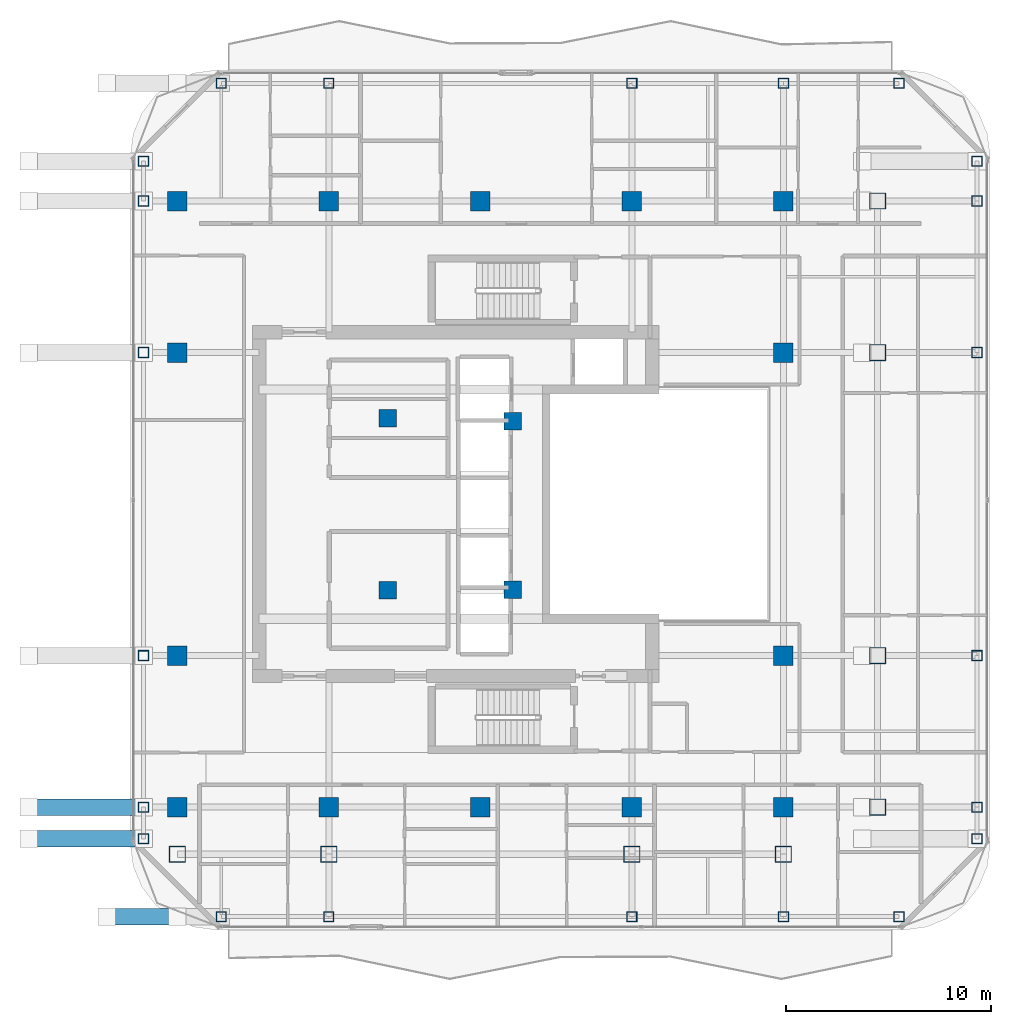
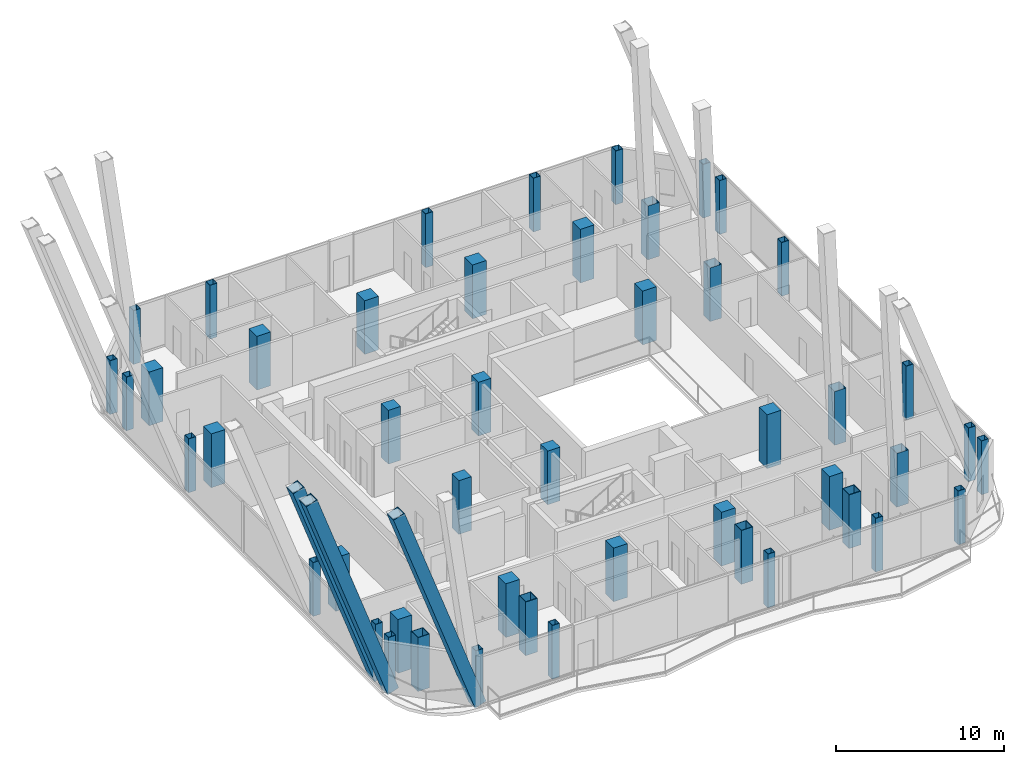
# One storey, part 1 of 27: 48 columns, 3 members.
"""IFC4 building model written with IfcOpenShell, lengths in metres."""

from ifc_helpers import new_model, si_unit, direction, frame, origin, origin_2d, place, context, subcontext, project, spatial, rectangle, hollow_rectangle, extrude, material, material_profile, profile_set, type_object, element, save


model = new_model("IFC4")

# Units and contexts
model_context = context("Model", 3, precision=1e-05, world=origin(), true_north=direction((0.0, 1.0)))
body_context = subcontext(model_context, "Body", "Model", "MODEL_VIEW")
ifc_project = project(units=[si_unit("LENGTHUNIT", "METRE"), si_unit("AREAUNIT", "SQUARE_METRE"), si_unit("VOLUMEUNIT", "CUBIC_METRE"), si_unit("PLANEANGLEUNIT", "RADIAN"), si_unit("MASSUNIT", "GRAM", prefix="KILO")], contexts=[model_context])

# Site, building, storey
site_placement = place(None, origin())
site = spatial("IfcSite", under=ifc_project, at=site_placement, CompositionType="ELEMENT")
building_placement = place(site_placement, origin())
building = spatial("IfcBuilding", under=site, at=building_placement, Name="Khorvyn Point Tower", CompositionType="ELEMENT")
storey_placement = place(building_placement, frame((0.0, 0.0, 270.300048828125)))
storey = spatial("IfcBuildingStorey", under=building, at=storey_placement, Name="L66", CompositionType="ELEMENT", Elevation=270.300048828125)

# Columns
ifc_material_1 = material(Name="Concrete C40/50", Category="concrete")
ifc_material_profile_1 = material_profile(ifc_material_1, rectangle(XDim=0.85009765625, YDim=0.85009765625, at=origin_2d()))
ifc_profile_set_1 = profile_set([ifc_material_profile_1], Name="Concrete C40/50 RC850x850")
column_type_1 = type_object("IfcColumnType", Name="Concrete C40/50 Column RC850x850", PredefinedType="COLUMN", material=ifc_profile_set_1)
for number, where, z_axis, x_axis, name in (
    (1, (-4.52001953125, -4.199951171875, 0.0), (0.0, 0.0, 1.0), (1.0, 0.0, 0.0), "L66 Crown Core Spine Column 1"),
    (2, (1.580078125, -4.179931640625, 0.0), (0.0, 0.0, 1.0), (1.0, 0.0, 0.0), "L66 Crown Core Spine Column 2"),
    (3, (1.580078125, 4.050048828125, 0.0), (0.0, 0.0, 1.0), (1.0, 0.0, 0.0), "L66 Crown Core Spine Column 3"),
    (4, (-4.52001953125, 4.199951171875, 0.0), (0.0, 0.0, 1.0), (1.0, 0.0, 0.0), "L66 Crown Core Spine Column 4"),
):
    element("IfcColumn", number, at=place(storey_placement, frame(where, z_axis=z_axis, x_axis=x_axis)), inside=storey, type_object=column_type_1, Name=name, PredefinedType="COLUMN", context=body_context, shape_type="SweptSolid", body=[
        extrude(rectangle(XDim=0.85009765625, YDim=0.85009765625, at=origin_2d()), origin(), (0.0, 0.0, 1.0), 3.89990234375),
    ])
ifc_material_profile_2 = material_profile(ifc_material_1, rectangle(XDim=0.949951171875, YDim=0.949951171875, at=origin_2d()))
ifc_profile_set_2 = profile_set([ifc_material_profile_2], Name="Concrete C40/50 RC950x950")
column_type_2 = type_object("IfcColumnType", Name="Concrete C40/50 Column RC950x950", PredefinedType="COLUMN", material=ifc_profile_set_2)
for number, where, z_axis, x_axis, name in (
    (5, (-14.800048828125, -14.800048828125, 0.0), (0.0, 0.0, 1.0), (1.0, 0.0, 0.0), "L66 Mega-Column MC-01"),
    (6, (-7.39990234375, -14.800048828125, 0.0), (0.0, 0.0, 1.0), (1.0, 0.0, 0.0), "L66 Mega-Column MC-02"),
    (7, (0.0, -14.800048828125, 0.0), (0.0, 0.0, 1.0), (1.0, 0.0, 0.0), "L66 Mega-Column MC-03"),
    (8, (7.39990234375, -14.800048828125, 0.0), (0.0, 0.0, 1.0), (1.0, 0.0, 0.0), "L66 Mega-Column MC-04"),
    (9, (14.800048828125, -14.800048828125, 0.0), (0.0, 0.0, 1.0), (1.0, 0.0, 0.0), "L66 Mega-Column MC-05"),
    (10, (-14.800048828125, 14.800048828125, 0.0), (0.0, 0.0, 1.0), (1.0, 0.0, 0.0), "L66 Mega-Column MC-06"),
    (11, (-7.39990234375, 14.800048828125, 0.0), (0.0, 0.0, 1.0), (1.0, 0.0, 0.0), "L66 Mega-Column MC-07"),
    (12, (0.0, 14.800048828125, 0.0), (0.0, 0.0, 1.0), (1.0, 0.0, 0.0), "L66 Mega-Column MC-08"),
    (13, (7.39990234375, 14.800048828125, 0.0), (0.0, 0.0, 1.0), (1.0, 0.0, 0.0), "L66 Mega-Column MC-09"),
    (14, (14.800048828125, 14.800048828125, 0.0), (0.0, 0.0, 1.0), (1.0, 0.0, 0.0), "L66 Mega-Column MC-10"),
    (15, (-14.800048828125, -7.39990234375, 0.0), (0.0, 0.0, 1.0), (1.0, 0.0, 0.0), "L66 Mega-Column MC-11"),
    (16, (-14.800048828125, 7.39990234375, 0.0), (0.0, 0.0, 1.0), (1.0, 0.0, 0.0), "L66 Mega-Column MC-12"),
    (17, (14.800048828125, -7.39990234375, 0.0), (0.0, 0.0, 1.0), (1.0, 0.0, 0.0), "L66 Mega-Column MC-13"),
    (18, (14.800048828125, 7.39990234375, 0.0), (0.0, 0.0, 1.0), (1.0, 0.0, 0.0), "L66 Mega-Column MC-14"),
):
    element("IfcColumn", number, at=place(storey_placement, frame(where, z_axis=z_axis, x_axis=x_axis)), inside=storey, type_object=column_type_2, Name=name, PredefinedType="COLUMN", context=body_context, shape_type="SweptSolid", body=[
        extrude(rectangle(XDim=0.949951171875, YDim=0.949951171875, at=origin_2d()), origin(), (0.0, 0.0, 1.0), 3.89990234375),
    ])
ifc_material_2 = material(Name="Steel S355", Category="steel")
ifc_material_profile_3 = material_profile(ifc_material_2, hollow_rectangle(XDim=0.5, YDim=0.5, WallThickness=0.02490234375, at=origin_2d()))
ifc_profile_set_3 = profile_set([ifc_material_profile_3], Name="Steel S355 BOX500x500x25")
column_type_3 = type_object("IfcColumnType", Name="Steel S355 Structural Column BOX500x500x25", PredefinedType="COLUMN", material=ifc_profile_set_3)
for number, where, z_axis, x_axis, name in (
    (19, (-12.64990234375, -20.14990234375, 0.0), (0.0, 0.0, 1.0), (1.0, 0.0, 0.0), "L66 Perimeter Tube Column TC-01"),
    (20, (20.449951171875, -20.14990234375, 0.0), (0.0, 0.0, 1.0), (1.0, 0.0, 0.0), "L66 Perimeter Tube Column TC-02"),
    (21, (-12.64990234375, 20.550048828125, 0.0), (0.0, 0.0, 1.0), (1.0, 0.0, 0.0), "L66 Perimeter Tube Column TC-03"),
    (22, (20.449951171875, 20.550048828125, 0.0), (0.0, 0.0, 1.0), (1.0, 0.0, 0.0), "L66 Perimeter Tube Column TC-04"),
    (23, (-16.449951171875, -16.35009765625, 0.0), (0.0, 0.0, 1.0), (1.0, 0.0, 0.0), "L66 Perimeter Tube Column TC-05"),
    (24, (-16.449951171875, 16.75, 0.0), (0.0, 0.0, 1.0), (1.0, 0.0, 0.0), "L66 Perimeter Tube Column TC-06"),
    (25, (24.25, -16.35009765625, 0.0), (0.0, 0.0, 1.0), (1.0, 0.0, 0.0), "L66 Perimeter Tube Column TC-07"),
    (26, (24.25, 16.75, 0.0), (0.0, 0.0, 1.0), (1.0, 0.0, 0.0), "L66 Perimeter Tube Column TC-08"),
    (27, (-7.39990234375, -20.14990234375, 0.0), (0.0, 0.0, 1.0), (1.0, 0.0, 0.0), "L66 Perimeter Tube Column TC-09"),
    (28, (-7.39990234375, 20.550048828125, 0.0), (0.0, 0.0, 1.0), (1.0, 0.0, 0.0), "L66 Perimeter Tube Column TC-10"),
    (29, (7.39990234375, -20.14990234375, 0.0), (0.0, 0.0, 1.0), (1.0, 0.0, 0.0), "L66 Perimeter Tube Column TC-11"),
    (30, (7.39990234375, 20.550048828125, 0.0), (0.0, 0.0, 1.0), (1.0, 0.0, 0.0), "L66 Perimeter Tube Column TC-12"),
    (31, (14.800048828125, -20.14990234375, 0.0), (0.0, 0.0, 1.0), (1.0, 0.0, 0.0), "L66 Perimeter Tube Column TC-13"),
    (32, (14.800048828125, 20.550048828125, 0.0), (0.0, 0.0, 1.0), (1.0, 0.0, 0.0), "L66 Perimeter Tube Column TC-14"),
    (33, (-16.449951171875, -14.800048828125, 0.0), (0.0, 0.0, 1.0), (1.0, 0.0, 0.0), "L66 Perimeter Tube Column TC-15"),
    (34, (24.25, -14.800048828125, 0.0), (0.0, 0.0, 1.0), (1.0, 0.0, 0.0), "L66 Perimeter Tube Column TC-16"),
    (35, (-16.449951171875, -7.39990234375, 0.0), (0.0, 0.0, 1.0), (1.0, 0.0, 0.0), "L66 Perimeter Tube Column TC-17"),
    (36, (24.25, -7.39990234375, 0.0), (0.0, 0.0, 1.0), (1.0, 0.0, 0.0), "L66 Perimeter Tube Column TC-18"),
    (37, (-16.449951171875, 7.39990234375, 0.0), (0.0, 0.0, 1.0), (1.0, 0.0, 0.0), "L66 Perimeter Tube Column TC-19"),
    (38, (24.25, 7.39990234375, 0.0), (0.0, 0.0, 1.0), (1.0, 0.0, 0.0), "L66 Perimeter Tube Column TC-20"),
    (39, (-16.449951171875, 14.800048828125, 0.0), (0.0, 0.0, 1.0), (1.0, 0.0, 0.0), "L66 Perimeter Tube Column TC-21"),
    (40, (24.25, 14.800048828125, 0.0), (0.0, 0.0, 1.0), (1.0, 0.0, 0.0), "L66 Perimeter Tube Column TC-22"),
):
    element("IfcColumn", number, at=place(storey_placement, frame(where, z_axis=z_axis, x_axis=x_axis)), inside=storey, type_object=column_type_3, Name=name, PredefinedType="COLUMN", context=body_context, shape_type="SweptSolid", body=[
        extrude(hollow_rectangle(XDim=0.5, YDim=0.5, WallThickness=0.02490234375, at=origin_2d()), origin(), (0.0, 0.0, 1.0), 3.89990234375),
    ])
ifc_material_3 = material(Name="Steel S450", Category="steel")
ifc_material_profile_4 = material_profile(ifc_material_3, hollow_rectangle(XDim=0.800048828125, YDim=0.800048828125, WallThickness=0.035888671875, at=origin_2d()))
ifc_profile_set_4 = profile_set([ifc_material_profile_4], Name="Steel S450 BOX800x800x36")
column_type_4 = type_object("IfcColumnType", Name="Steel S450 Structural Column BOX800x800x36", PredefinedType="COLUMN", material=ifc_profile_set_4)
for number, where, z_axis, x_axis, name in (
    (41, (19.39990234375, -14.800048828125, 0.0), (0.0, 0.0, 1.0), (1.0, 0.0, 0.0), "L66 Intermediate Column ICE--14"),
    (42, (19.39990234375, -7.39990234375, 0.0), (0.0, 0.0, 1.0), (1.0, 0.0, 0.0), "L66 Intermediate Column ICE--7"),
    (43, (19.39990234375, 7.39990234375, 0.0), (0.0, 0.0, 1.0), (1.0, 0.0, 0.0), "L66 Intermediate Column ICE-7"),
    (44, (19.39990234375, 14.800048828125, 0.0), (0.0, 0.0, 1.0), (1.0, 0.0, 0.0), "L66 Intermediate Column ICE-14"),
    (45, (-14.800048828125, -17.10009765625, 0.0), (0.0, 0.0, 1.0), (1.0, 0.0, 0.0), "L66 Intermediate Column ICS--14"),
    (46, (-7.39990234375, -17.10009765625, 0.0), (0.0, 0.0, 1.0), (1.0, 0.0, 0.0), "L66 Intermediate Column ICS--7"),
    (47, (7.39990234375, -17.10009765625, 0.0), (0.0, 0.0, 1.0), (1.0, 0.0, 0.0), "L66 Intermediate Column ICS-7"),
    (48, (14.800048828125, -17.10009765625, 0.0), (0.0, 0.0, 1.0), (1.0, 0.0, 0.0), "L66 Intermediate Column ICS-14"),
):
    element("IfcColumn", number, at=place(storey_placement, frame(where, z_axis=z_axis, x_axis=x_axis)), inside=storey, type_object=column_type_4, Name=name, PredefinedType="COLUMN", context=body_context, shape_type="SweptSolid", body=[
        extrude(hollow_rectangle(XDim=0.800048828125, YDim=0.800048828125, WallThickness=0.035888671875, at=origin_2d()), origin(), (0.0, 0.0, 1.0), 3.89990234375),
    ])

# Members
ifc_material_profile_5 = material_profile(ifc_material_3, hollow_rectangle(XDim=0.800048828125, YDim=0.800048828125, WallThickness=0.035888671875, at=origin_2d()))
ifc_profile_set_5 = profile_set([ifc_material_profile_5], Name="Steel S450 BOX800x800x36")
member_type = type_object("IfcMemberType", Name="Steel S450 Exoskeleton Structural Post BOX800x800x36", PredefinedType="POST", material=ifc_profile_set_5)
for number, where, z_axis, x_axis, name in (
    (49, (-12.64990234375, -20.14990234375, 0.0), (-0.337872783366, 0.0, 0.941191788245), (0.0, -1.0, 0.0), "L66 to L70 Exoskeleton Transfer Post 01"),
    (50, (-16.449951171875, -16.35009765625, 0.0), (-0.337872783366, 0.0, 0.941191788245), (0.0, -1.0, 0.0), "L66 to L70 Exoskeleton Transfer Post 03"),
    (51, (-16.449951171875, -14.800048828125, 0.0), (-0.337872783366, 0.0, 0.941191788245), (0.0, -1.0, 0.0), "L66 to L70 Exoskeleton Transfer Post 09"),
):
    element("IfcMember", number, at=place(storey_placement, frame(where, z_axis=z_axis, x_axis=x_axis)), inside=storey, type_object=member_type, Name=name, PredefinedType="POST", context=body_context, shape_type="SweptSolid", body=[
        extrude(hollow_rectangle(XDim=0.800048828125, YDim=0.800048828125, WallThickness=0.035888671875, at=origin_2d()), origin(), (0.0, 0.0, 1.0), 16.574462890625),
    ])

save(model, "model.ifc")
